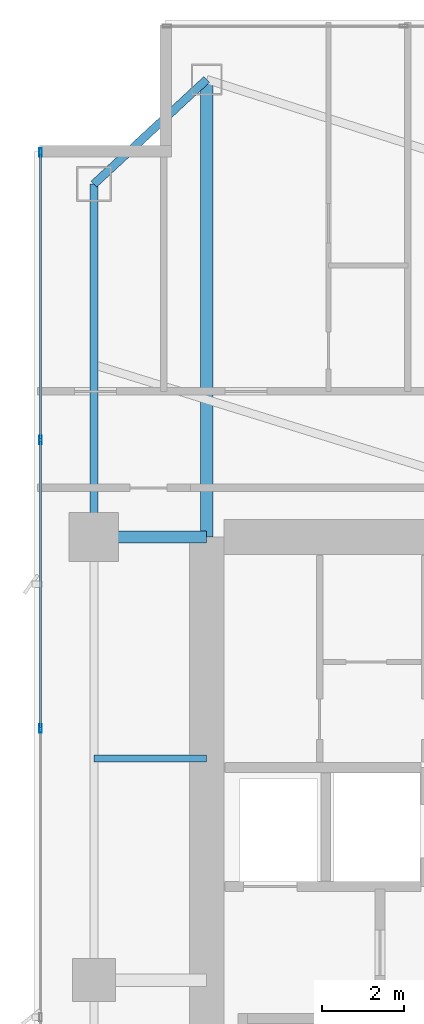
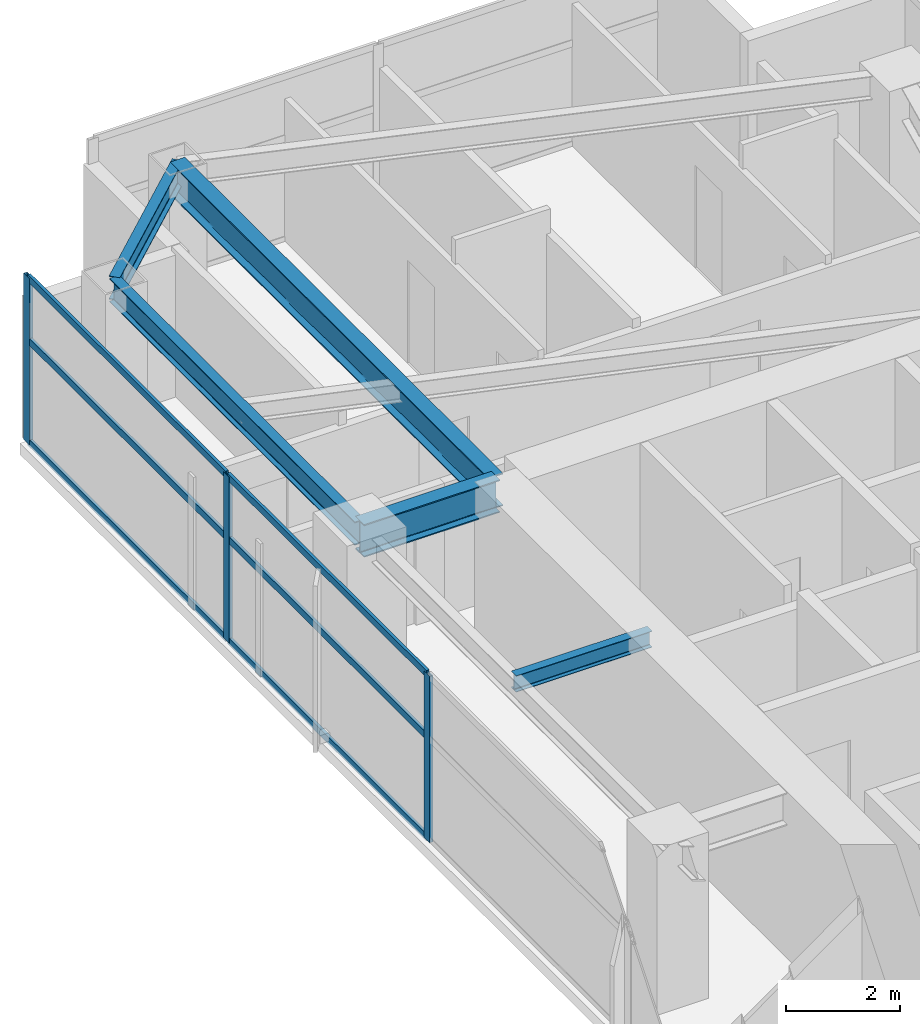
# One storey, part 16 of 28: 9 members, 5 beams, 1 element without a shape of its own.
"""IFC4 building model written with IfcOpenShell, lengths in metres."""

from ifc_helpers import new_model, si_unit, direction, frame, origin, origin_2d, place, context, subcontext, project, spatial, hollow_rectangle, i_section, extrude, material, layer, layer_set, material_profile, profile_set, type_object, element, aggregate, save


model = new_model("IFC4")

# Units and contexts
model_context = context("Model", 3, precision=1e-05, world=origin(), true_north=direction((0.0, 1.0)))
body_context = subcontext(model_context, "Body", "Model", "MODEL_VIEW")
ifc_project = project(units=[si_unit("LENGTHUNIT", "METRE"), si_unit("AREAUNIT", "SQUARE_METRE"), si_unit("VOLUMEUNIT", "CUBIC_METRE"), si_unit("PLANEANGLEUNIT", "RADIAN"), si_unit("MASSUNIT", "GRAM", prefix="KILO")], contexts=[model_context])

# Site, building, storey
site_placement = place(None, origin())
site = spatial("IfcSite", under=ifc_project, at=site_placement, CompositionType="ELEMENT")
building_placement = place(site_placement, origin())
building = spatial("IfcBuilding", under=site, at=building_placement, Name="Calvorn Quay Hotel", CompositionType="ELEMENT")
storey_placement = place(building_placement, frame((0.0, 0.0, 116.39990234375)))
storey = spatial("IfcBuildingStorey", under=building, at=storey_placement, Name="L28", CompositionType="ELEMENT", Elevation=116.39990234375)

# Beams
ifc_material_1 = material(Name="Steel Q390GJC", Category="steel")
ifc_material_profile_1 = material_profile(ifc_material_1, i_section(OverallWidth=0.300048828125, OverallDepth=0.699951171875, WebThickness=0.012939453125, FlangeThickness=0.02392578125, FilletRadius=0.02392578125, at=origin_2d()), Name="HN700x300x13x24")
ifc_profile_set_1 = profile_set([ifc_material_profile_1], Name="Steel Q390GJC")
beam_type_1 = type_object("IfcBeamType", Name="BM-GIRD-MAIN", PredefinedType="BEAM", material=ifc_profile_set_1)
beam_1_placement = place(storey_placement, frame((1.449951171875, 38.39990234375, 3.190185546875), z_axis=(1.0, 0.0, 0.0), x_axis=(0.0, 1.0, 0.0)))
element("IfcBeam", 1, at=beam_1_placement, inside=storey, type_object=beam_type_1, Name="Beam BG-L28-W3", PredefinedType="BEAM", context=body_context, shape_type="SweptSolid", body=[
    extrude(i_section(OverallWidth=0.300048828125, OverallDepth=0.699951171875, WebThickness=0.012939453125, FlangeThickness=0.02392578125, FilletRadius=0.02392578125, at=origin_2d()), origin(), (0.0, 0.0, 1.0), 2.75),
])
beam_2_placement = place(storey_placement, frame((4.199951171875, 49.550048828125, 3.190185546875), z_axis=(0.0, -1.0, 0.0), x_axis=(1.0, 0.0, 0.0)))
element("IfcBeam", 2, at=beam_2_placement, inside=storey, type_object=beam_type_1, Name="Beam BG-L28-W5", PredefinedType="BEAM", context=body_context, shape_type="SweptSolid", body=[
    extrude(i_section(OverallWidth=0.300048828125, OverallDepth=0.699951171875, WebThickness=0.012939453125, FlangeThickness=0.02392578125, FilletRadius=0.02392578125, at=origin_2d()), origin(), (0.0, 0.0, 1.0), 11.150146484375),
])
ifc_material_2 = material(Name="Steel Q355B", Category="steel")
ifc_material_profile_2 = material_profile(ifc_material_2, i_section(OverallWidth=0.175048828125, OverallDepth=0.35009765625, WebThickness=0.007080078125, FlangeThickness=0.010986328125, FilletRadius=0.013916015625, at=origin_2d()), Name="HN350x175x7x11")
ifc_profile_set_2 = profile_set([ifc_material_profile_2], Name="Steel Q355B")
beam_type_2 = type_object("IfcBeamType", Name="BM-JOIST-SEC", PredefinedType="JOIST", material=ifc_profile_set_2)
beam_3_placement = place(storey_placement, frame((1.449951171875, 33.0, 3.364990234375), z_axis=(1.0, 0.0, 0.0), x_axis=(0.0, 1.0, 0.0)))
element("IfcBeam", 3, at=beam_3_placement, inside=storey, type_object=beam_type_2, Name="Beam BJ-L28-W4", PredefinedType="JOIST", context=body_context, shape_type="SweptSolid", body=[
    extrude(i_section(OverallWidth=0.175048828125, OverallDepth=0.35009765625, WebThickness=0.007080078125, FlangeThickness=0.010986328125, FilletRadius=0.013916015625, at=origin_2d()), origin(), (0.0, 0.0, 1.0), 2.75),
])
ifc_material_3 = material(Name="Steel Q355B", Category="steel")
ifc_material_profile_3 = material_profile(ifc_material_3, i_section(OverallWidth=0.199951171875, OverallDepth=0.5, WebThickness=0.010009765625, FlangeThickness=0.01611328125, FilletRadius=0.01611328125, at=origin_2d()), Name="HN500x200x10x16")
ifc_profile_set_3 = profile_set([ifc_material_profile_3], Name="Steel Q355B")
beam_type_3 = type_object("IfcBeamType", Name="BM-SPANDREL-Z1", PredefinedType="SPANDREL", material=ifc_profile_set_3)
beam_4_placement = place(storey_placement, frame((1.449951171875, 38.39990234375, 3.2900390625), z_axis=(0.0, 1.0, 0.0), x_axis=(-1.0, 0.0, 0.0)))
element("IfcBeam", 4, at=beam_4_placement, inside=storey, type_object=beam_type_3, Name="Beam BSP-L28-W4", PredefinedType="SPANDREL", context=body_context, shape_type="SweptSolid", body=[
    extrude(i_section(OverallWidth=0.199951171875, OverallDepth=0.5, WebThickness=0.010009765625, FlangeThickness=0.01611328125, FilletRadius=0.01611328125, at=origin_2d()), origin(), (0.0, 0.0, 1.0), 8.60009765625),
])
beam_5_placement = place(storey_placement, frame((1.449951171875, 47.0, 3.2900390625), z_axis=(0.733261665538, 0.679946563969, 0.0), x_axis=(-0.679946563969, 0.733261665538, 0.0)))
element("IfcBeam", 5, at=beam_5_placement, inside=storey, type_object=beam_type_3, Name="Beam BSP-L28-W5", PredefinedType="SPANDREL", context=body_context, shape_type="SweptSolid", body=[
    extrude(i_section(OverallWidth=0.199951171875, OverallDepth=0.5, WebThickness=0.010009765625, FlangeThickness=0.01611328125, FilletRadius=0.01611328125, at=origin_2d()), origin(), (0.0, 0.0, 1.0), 3.75048828125),
])

# Curtain wall, members
ifc_material_4 = material(Name="Pale Anodised Aluminium and Low-E Glass", Category="aluminium")
ifc_layer = layer(ifc_material_4, 0.219970703125)
ifc_layer_set = layer_set([ifc_layer], Name="CW-SYS-Z2")
curtain_wall_type = type_object("IfcCurtainWallType", Name="CW-SYS-Z2", PredefinedType="NOTDEFINED", material=ifc_layer_set)
curtain_wall_placement = place(storey_placement, origin())
curtain_wall = element("IfcCurtainWall", 6, at=curtain_wall_placement, inside=storey, type_object=curtain_wall_type, Name="Tower West Curtain Wall (L28)", PredefinedType="NOTDEFINED")
ifc_material_5 = material(Name="Pale Anodised Aluminium 6063-T6", Category="aluminium")
ifc_material_profile_4 = material_profile(ifc_material_5, hollow_rectangle(XDim=0.070068359375, YDim=0.199951171875, WallThickness=0.00390625, at=origin_2d()), Name="ALU-M200x70x4")
ifc_profile_set_4 = profile_set([ifc_material_profile_4], Name="Pale Anodised Aluminium 6063-T6")
member_type_1 = type_object("IfcMemberType", Name="CW-SYS-Z2-MUL", PredefinedType="MULLION", material=ifc_profile_set_4)
member_1_placement = place(storey_placement, frame((0.14990234375, 33.7333984375, 0.0), z_axis=(0.0, 0.0, 1.0), x_axis=(-1.0, 0.0, 0.0)))
member_1 = element("IfcMember", 7, at=member_1_placement, type_object=member_type_1, Name="CW-L28-W mullion 5", PredefinedType="MULLION", context=body_context, shape_type="SweptSolid", body=[
    extrude(hollow_rectangle(XDim=0.070068359375, YDim=0.199951171875, WallThickness=0.00390625, at=origin_2d()), origin(), (0.0, 0.0, 1.0), 3.56005859375),
])
member_2_placement = place(storey_placement, frame((0.14990234375, 40.7666015625, 0.0), z_axis=(0.0, 0.0, 1.0), x_axis=(-1.0, 0.0, 0.0)))
member_2 = element("IfcMember", 8, at=member_2_placement, type_object=member_type_1, Name="CW-L28-W mullion 6", PredefinedType="MULLION", context=body_context, shape_type="SweptSolid", body=[
    extrude(hollow_rectangle(XDim=0.070068359375, YDim=0.199951171875, WallThickness=0.00390625, at=origin_2d()), origin(), (0.0, 0.0, 1.0), 3.56005859375),
])
member_3_placement = place(storey_placement, frame((0.14990234375, 47.77001953125, 0.0), z_axis=(0.0, 0.0, 1.0), x_axis=(-1.0, 0.0, 0.0)))
member_3 = element("IfcMember", 9, at=member_3_placement, type_object=member_type_1, Name="CW-L28-W mullion 7", PredefinedType="MULLION", context=body_context, shape_type="SweptSolid", body=[
    extrude(hollow_rectangle(XDim=0.070068359375, YDim=0.199951171875, WallThickness=0.00390625, at=origin_2d()), origin(), (0.0, 0.0, 1.0), 3.56005859375),
])
ifc_material_6 = material(Name="Pale Anodised Aluminium 6063-T6", Category="aluminium")
ifc_material_profile_5 = material_profile(ifc_material_6, hollow_rectangle(XDim=0.06005859375, YDim=0.14990234375, WallThickness=0.00341796875, at=origin_2d()), Name="ALU-T150x60x3.5")
ifc_profile_set_5 = profile_set([ifc_material_profile_5], Name="Pale Anodised Aluminium 6063-T6")
member_type_2 = type_object("IfcMemberType", Name="CW-SYS-Z2-TRN", PredefinedType="USERDEFINED", material=ifc_profile_set_5)
member_4_placement = place(storey_placement, frame((0.14990234375, 33.763427734375, 0.030029296875), z_axis=(0.0, 1.0, 0.0), x_axis=(-1.0, 0.0, 0.0)))
member_4 = element("IfcMember", 10, at=member_4_placement, type_object=member_type_2, Name="CW-L28-W transom 5.1", ObjectType="TRANSOM", PredefinedType="USERDEFINED", context=body_context, shape_type="SweptSolid", body=[
    extrude(hollow_rectangle(XDim=0.06005859375, YDim=0.14990234375, WallThickness=0.00341796875, at=origin_2d()), origin(), (0.0, 0.0, 1.0), 6.97314453125),
])
member_5_placement = place(storey_placement, frame((0.14990234375, 33.763427734375, 2.2001953125), z_axis=(0.0, 1.0, 0.0), x_axis=(-1.0, 0.0, 0.0)))
member_5 = element("IfcMember", 11, at=member_5_placement, type_object=member_type_2, Name="CW-L28-W transom 5.2", ObjectType="TRANSOM", PredefinedType="USERDEFINED", context=body_context, shape_type="SweptSolid", body=[
    extrude(hollow_rectangle(XDim=0.06005859375, YDim=0.14990234375, WallThickness=0.00341796875, at=origin_2d()), origin(), (0.0, 0.0, 1.0), 6.97314453125),
])
member_6_placement = place(storey_placement, frame((0.14990234375, 33.763427734375, 3.530029296875), z_axis=(0.0, 1.0, 0.0), x_axis=(-1.0, 0.0, 0.0)))
member_6 = element("IfcMember", 12, at=member_6_placement, type_object=member_type_2, Name="CW-L28-W transom 5.3", ObjectType="TRANSOM", PredefinedType="USERDEFINED", context=body_context, shape_type="SweptSolid", body=[
    extrude(hollow_rectangle(XDim=0.06005859375, YDim=0.14990234375, WallThickness=0.00341796875, at=origin_2d()), origin(), (0.0, 0.0, 1.0), 6.97314453125),
])
member_7_placement = place(storey_placement, frame((0.14990234375, 40.796630859375, 0.030029296875), z_axis=(0.0, 1.0, 0.0), x_axis=(-1.0, 0.0, 0.0)))
member_7 = element("IfcMember", 13, at=member_7_placement, type_object=member_type_2, Name="CW-L28-W transom 6.1", ObjectType="TRANSOM", PredefinedType="USERDEFINED", context=body_context, shape_type="SweptSolid", body=[
    extrude(hollow_rectangle(XDim=0.06005859375, YDim=0.14990234375, WallThickness=0.00341796875, at=origin_2d()), origin(), (0.0, 0.0, 1.0), 6.943359375),
])
member_8_placement = place(storey_placement, frame((0.14990234375, 40.796630859375, 2.2001953125), z_axis=(0.0, 1.0, 0.0), x_axis=(-1.0, 0.0, 0.0)))
member_8 = element("IfcMember", 14, at=member_8_placement, type_object=member_type_2, Name="CW-L28-W transom 6.2", ObjectType="TRANSOM", PredefinedType="USERDEFINED", context=body_context, shape_type="SweptSolid", body=[
    extrude(hollow_rectangle(XDim=0.06005859375, YDim=0.14990234375, WallThickness=0.00341796875, at=origin_2d()), origin(), (0.0, 0.0, 1.0), 6.943359375),
])
member_9_placement = place(storey_placement, frame((0.14990234375, 40.796630859375, 3.530029296875), z_axis=(0.0, 1.0, 0.0), x_axis=(-1.0, 0.0, 0.0)))
member_9 = element("IfcMember", 15, at=member_9_placement, type_object=member_type_2, Name="CW-L28-W transom 6.3", ObjectType="TRANSOM", PredefinedType="USERDEFINED", context=body_context, shape_type="SweptSolid", body=[
    extrude(hollow_rectangle(XDim=0.06005859375, YDim=0.14990234375, WallThickness=0.00341796875, at=origin_2d()), origin(), (0.0, 0.0, 1.0), 6.943359375),
])
aggregate(curtain_wall, [member_1, member_2, member_3, member_4, member_5, member_6, member_7, member_8, member_9])

save(model, "model.ifc")
